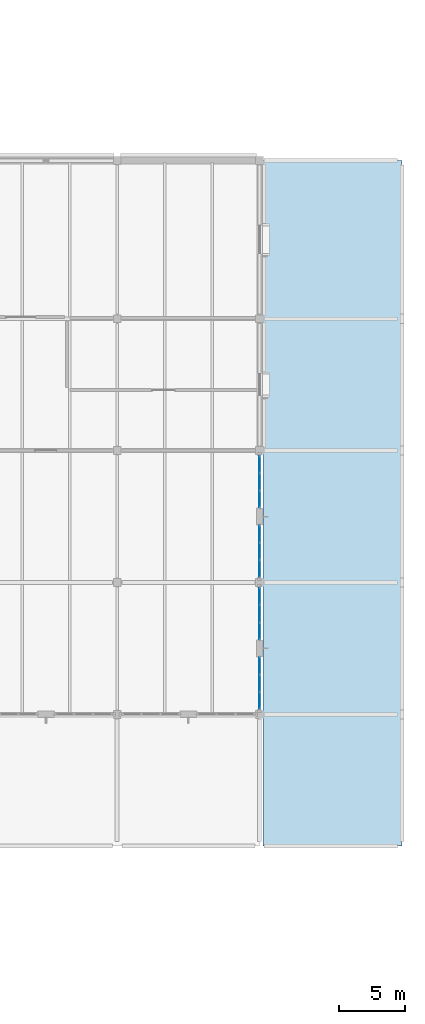
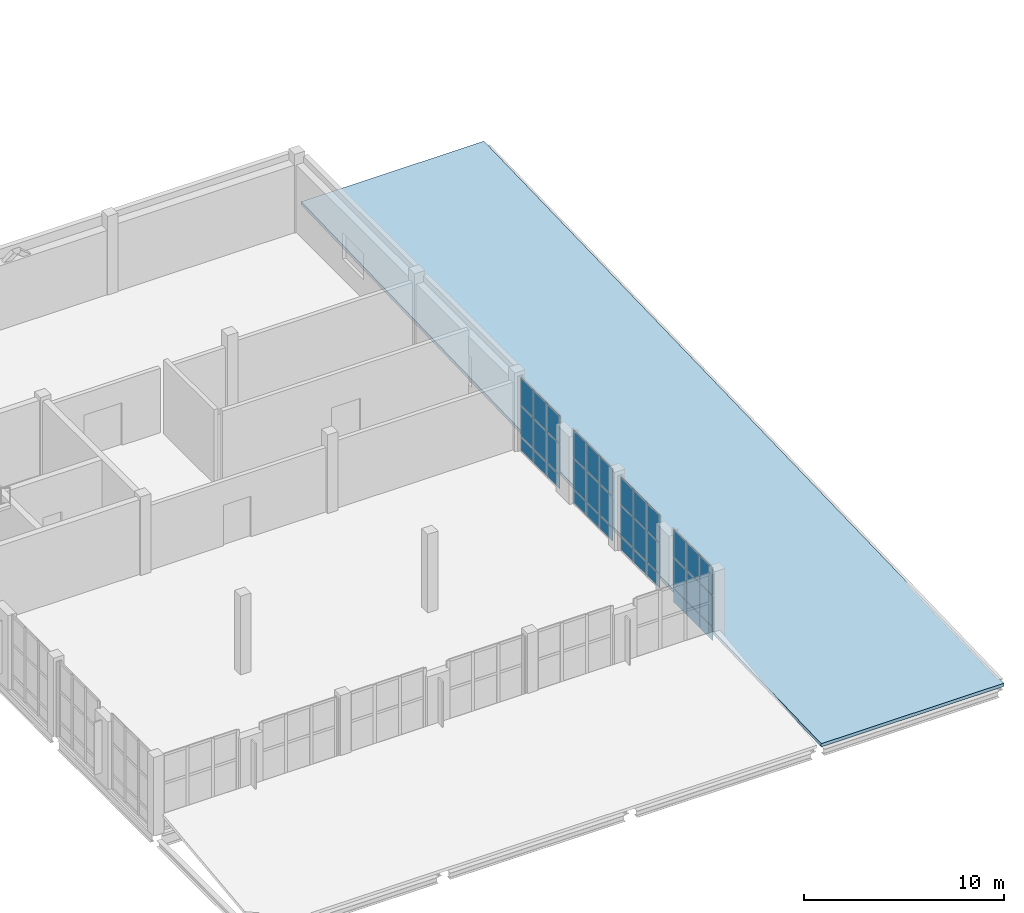
# One storey, part 71 of 100: 36 plates, 1 slab, 4 elements without a shape of their own.
"""IFC4 building model written with IfcOpenShell, lengths in metres."""

from ifc_helpers import new_model, si_unit, direction, frame, origin, origin_2d, place, context, subcontext, project, spatial, polyline, rectangle, outline, extrude, material, layer, layer_set, type_object, element, aggregate, save


model = new_model("IFC4")

# Units and contexts
model_context = context("Model", 3, precision=1e-05, world=origin(), true_north=direction((0.0, 1.0)))
body_context = subcontext(model_context, "Body", "Model", "MODEL_VIEW")
ifc_project = project(units=[si_unit("LENGTHUNIT", "METRE"), si_unit("AREAUNIT", "SQUARE_METRE"), si_unit("VOLUMEUNIT", "CUBIC_METRE"), si_unit("PLANEANGLEUNIT", "RADIAN"), si_unit("MASSUNIT", "GRAM", prefix="KILO")], contexts=[model_context])

# Site, building, storey
site_placement = place(None, origin())
site = spatial("IfcSite", under=ifc_project, at=site_placement, CompositionType="ELEMENT")
building_placement = place(site_placement, origin())
building = spatial("IfcBuilding", under=site, at=building_placement, Name="Tasgan Crest Museum", CompositionType="ELEMENT")
storey_placement = place(building_placement, frame((0.0, 0.0, 9.60009765625)))
storey = spatial("IfcBuildingStorey", under=building, at=storey_placement, Name="L02", CompositionType="ELEMENT", Elevation=9.60009765625)

# Curtain wall, plates
ifc_material_1 = material(Name="Triple-Glazed Aluminium Curtain Wall", Category="aluminium")
ifc_layer_1 = layer(ifc_material_1, 0.179931640625, Name="CW-GAL-Y-48")
ifc_layer_set_1 = layer_set([ifc_layer_1], Name="Triple-Glazed Aluminium Curtain Wall")
curtain_wall_type = type_object("IfcCurtainWallType", Name="CW-GAL-Y-48", PredefinedType="NOTDEFINED", material=ifc_layer_set_1)
curtain_wall_1_placement = place(storey_placement, origin())
curtain_wall_1 = element("IfcCurtainWall", 1, at=curtain_wall_1_placement, inside=storey, type_object=curtain_wall_type, Name="Curtain wall L02 071", PredefinedType="NOTDEFINED")
ifc_material_2 = material(Name="Insulated Spandrel Glass", Category="glass")
ifc_layer_2 = layer(ifc_material_2, 0.052001953125, Name="CW-PANEL-SPANDREL")
ifc_layer_set_2 = layer_set([ifc_layer_2], Name="Insulated Spandrel Glass")
plate_type_1 = type_object("IfcPlateType", Name="CW-PANEL-SPANDREL", PredefinedType="CURTAIN_PANEL", material=ifc_layer_set_2)
plate_1_placement = place(storey_placement, frame((140.39990234375, 21.044921875, 0.059814453125), z_axis=(0.0, 0.0, 1.0), x_axis=(0.0, 1.0, 0.0)))
plate_1 = element("IfcPlate", 2, at=plate_1_placement, type_object=plate_type_1, Name="CW16 panel 1.1", PredefinedType="CURTAIN_PANEL", context=body_context, shape_type="SweptSolid", body=[
    extrude(rectangle(XDim=1.239990234375, YDim=0.028076171875, at=origin_2d()), origin(), (0.0, 0.0, 1.0), 0.81005859375),
])
plate_2_placement = place(storey_placement, frame((140.39990234375, 22.360107421875, 0.059814453125), z_axis=(0.0, 0.0, 1.0), x_axis=(0.0, 1.0, 0.0)))
plate_2 = element("IfcPlate", 3, at=plate_2_placement, type_object=plate_type_1, Name="CW16 panel 2.1", PredefinedType="CURTAIN_PANEL", context=body_context, shape_type="SweptSolid", body=[
    extrude(rectangle(XDim=1.27001953125, YDim=0.028076171875, at=origin_2d()), origin(), (0.0, 0.0, 1.0), 0.81005859375),
])
plate_3_placement = place(storey_placement, frame((140.39990234375, 23.675048828125, 0.059814453125), z_axis=(0.0, 0.0, 1.0), x_axis=(0.0, 1.0, 0.0)))
plate_3 = element("IfcPlate", 4, at=plate_3_placement, type_object=plate_type_1, Name="CW16 panel 3.1", PredefinedType="CURTAIN_PANEL", context=body_context, shape_type="SweptSolid", body=[
    extrude(rectangle(XDim=1.239990234375, YDim=0.028076171875, at=origin_2d()), origin(), (0.0, 0.0, 1.0), 0.81005859375),
])

curtain_wall_2_placement = place(storey_placement, origin())
curtain_wall_2 = element("IfcCurtainWall", 5, at=curtain_wall_2_placement, inside=storey, type_object=curtain_wall_type, Name="Curtain wall L02 072", PredefinedType="NOTDEFINED")
plate_4_placement = place(storey_placement, frame((140.39990234375, 26.324951171875, 0.059814453125), z_axis=(0.0, 0.0, 1.0), x_axis=(0.0, 1.0, 0.0)))
plate_4 = element("IfcPlate", 6, at=plate_4_placement, type_object=plate_type_1, Name="CW16 panel 1.1", PredefinedType="CURTAIN_PANEL", context=body_context, shape_type="SweptSolid", body=[
    extrude(rectangle(XDim=1.239990234375, YDim=0.028076171875, at=origin_2d()), origin(), (0.0, 0.0, 1.0), 0.81005859375),
])
plate_5_placement = place(storey_placement, frame((140.39990234375, 27.639892578125, 0.059814453125), z_axis=(0.0, 0.0, 1.0), x_axis=(0.0, 1.0, 0.0)))
plate_5 = element("IfcPlate", 7, at=plate_5_placement, type_object=plate_type_1, Name="CW16 panel 2.1", PredefinedType="CURTAIN_PANEL", context=body_context, shape_type="SweptSolid", body=[
    extrude(rectangle(XDim=1.27001953125, YDim=0.028076171875, at=origin_2d()), origin(), (0.0, 0.0, 1.0), 0.81005859375),
])
plate_6_placement = place(storey_placement, frame((140.39990234375, 28.955078125, 0.059814453125), z_axis=(0.0, 0.0, 1.0), x_axis=(0.0, 1.0, 0.0)))
plate_6 = element("IfcPlate", 8, at=plate_6_placement, type_object=plate_type_1, Name="CW16 panel 3.1", PredefinedType="CURTAIN_PANEL", context=body_context, shape_type="SweptSolid", body=[
    extrude(rectangle(XDim=1.239990234375, YDim=0.028076171875, at=origin_2d()), origin(), (0.0, 0.0, 1.0), 0.81005859375),
])

curtain_wall_3_placement = place(storey_placement, origin())
curtain_wall_3 = element("IfcCurtainWall", 9, at=curtain_wall_3_placement, inside=storey, type_object=curtain_wall_type, Name="Curtain wall L02 073", PredefinedType="NOTDEFINED")
plate_7_placement = place(storey_placement, frame((140.39990234375, 31.044921875, 0.059814453125), z_axis=(0.0, 0.0, 1.0), x_axis=(0.0, 1.0, 0.0)))
plate_7 = element("IfcPlate", 10, at=plate_7_placement, type_object=plate_type_1, Name="CW16 panel 1.1", PredefinedType="CURTAIN_PANEL", context=body_context, shape_type="SweptSolid", body=[
    extrude(rectangle(XDim=1.239990234375, YDim=0.028076171875, at=origin_2d()), origin(), (0.0, 0.0, 1.0), 0.81005859375),
])
plate_8_placement = place(storey_placement, frame((140.39990234375, 32.360107421875, 0.059814453125), z_axis=(0.0, 0.0, 1.0), x_axis=(0.0, 1.0, 0.0)))
plate_8 = element("IfcPlate", 11, at=plate_8_placement, type_object=plate_type_1, Name="CW16 panel 2.1", PredefinedType="CURTAIN_PANEL", context=body_context, shape_type="SweptSolid", body=[
    extrude(rectangle(XDim=1.27001953125, YDim=0.028076171875, at=origin_2d()), origin(), (0.0, 0.0, 1.0), 0.81005859375),
])
plate_9_placement = place(storey_placement, frame((140.39990234375, 33.675048828125, 0.059814453125), z_axis=(0.0, 0.0, 1.0), x_axis=(0.0, 1.0, 0.0)))
plate_9 = element("IfcPlate", 12, at=plate_9_placement, type_object=plate_type_1, Name="CW16 panel 3.1", PredefinedType="CURTAIN_PANEL", context=body_context, shape_type="SweptSolid", body=[
    extrude(rectangle(XDim=1.239990234375, YDim=0.028076171875, at=origin_2d()), origin(), (0.0, 0.0, 1.0), 0.81005859375),
])

curtain_wall_4_placement = place(storey_placement, origin())
curtain_wall_4 = element("IfcCurtainWall", 13, at=curtain_wall_4_placement, inside=storey, type_object=curtain_wall_type, Name="Curtain wall L02 074", PredefinedType="NOTDEFINED")
plate_10_placement = place(storey_placement, frame((140.39990234375, 36.324951171875, 0.059814453125), z_axis=(0.0, 0.0, 1.0), x_axis=(0.0, 1.0, 0.0)))
plate_10 = element("IfcPlate", 14, at=plate_10_placement, type_object=plate_type_1, Name="CW16 panel 1.1", PredefinedType="CURTAIN_PANEL", context=body_context, shape_type="SweptSolid", body=[
    extrude(rectangle(XDim=1.239990234375, YDim=0.028076171875, at=origin_2d()), origin(), (0.0, 0.0, 1.0), 0.81005859375),
])
plate_11_placement = place(storey_placement, frame((140.39990234375, 37.639892578125, 0.059814453125), z_axis=(0.0, 0.0, 1.0), x_axis=(0.0, 1.0, 0.0)))
plate_11 = element("IfcPlate", 15, at=plate_11_placement, type_object=plate_type_1, Name="CW16 panel 2.1", PredefinedType="CURTAIN_PANEL", context=body_context, shape_type="SweptSolid", body=[
    extrude(rectangle(XDim=1.27001953125, YDim=0.028076171875, at=origin_2d()), origin(), (0.0, 0.0, 1.0), 0.81005859375),
])
plate_12_placement = place(storey_placement, frame((140.39990234375, 38.955078125, 0.059814453125), z_axis=(0.0, 0.0, 1.0), x_axis=(0.0, 1.0, 0.0)))
plate_12 = element("IfcPlate", 16, at=plate_12_placement, type_object=plate_type_1, Name="CW16 panel 3.1", PredefinedType="CURTAIN_PANEL", context=body_context, shape_type="SweptSolid", body=[
    extrude(rectangle(XDim=1.239990234375, YDim=0.028076171875, at=origin_2d()), origin(), (0.0, 0.0, 1.0), 0.81005859375),
])

# Plate
ifc_material_3 = material(Name="Low-E Triple Glazing", Category="glass")
ifc_layer_3 = layer(ifc_material_3, 0.0439453125, Name="CW-PANEL-TRIPLE")
ifc_layer_set_3 = layer_set([ifc_layer_3], Name="Low-E Triple Glazing")
plate_type_2 = type_object("IfcPlateType", Name="CW-PANEL-TRIPLE", PredefinedType="CURTAIN_PANEL", material=ifc_layer_set_3)
plate_13_placement = place(storey_placement, frame((140.39990234375, 21.044921875, 0.9296875), z_axis=(0.0, 0.0, 1.0), x_axis=(0.0, 1.0, 0.0)))
plate_13 = element("IfcPlate", 17, at=plate_13_placement, type_object=plate_type_2, Name="CW16 panel 1.2", PredefinedType="CURTAIN_PANEL", context=body_context, shape_type="SweptSolid", body=[
    extrude(rectangle(XDim=1.239990234375, YDim=0.028076171875, at=origin_2d()), origin(), (0.0, 0.0, 1.0), 1.840087890625),
])

plate_14_placement = place(storey_placement, frame((140.39990234375, 21.044921875, 2.829833984375), z_axis=(0.0, 0.0, 1.0), x_axis=(0.0, 1.0, 0.0)))
plate_14 = element("IfcPlate", 18, at=plate_14_placement, type_object=plate_type_2, Name="CW16 panel 1.3", PredefinedType="CURTAIN_PANEL", context=body_context, shape_type="SweptSolid", body=[
    extrude(rectangle(XDim=1.239990234375, YDim=0.028076171875, at=origin_2d()), origin(), (0.0, 0.0, 1.0), 1.669921875),
])

plate_15_placement = place(storey_placement, frame((140.39990234375, 22.360107421875, 0.9296875), z_axis=(0.0, 0.0, 1.0), x_axis=(0.0, 1.0, 0.0)))
plate_15 = element("IfcPlate", 19, at=plate_15_placement, type_object=plate_type_2, Name="CW16 panel 2.2", PredefinedType="CURTAIN_PANEL", context=body_context, shape_type="SweptSolid", body=[
    extrude(rectangle(XDim=1.27001953125, YDim=0.028076171875, at=origin_2d()), origin(), (0.0, 0.0, 1.0), 1.840087890625),
])

plate_16_placement = place(storey_placement, frame((140.39990234375, 22.360107421875, 2.829833984375), z_axis=(0.0, 0.0, 1.0), x_axis=(0.0, 1.0, 0.0)))
plate_16 = element("IfcPlate", 20, at=plate_16_placement, type_object=plate_type_2, Name="CW16 panel 2.3", PredefinedType="CURTAIN_PANEL", context=body_context, shape_type="SweptSolid", body=[
    extrude(rectangle(XDim=1.27001953125, YDim=0.028076171875, at=origin_2d()), origin(), (0.0, 0.0, 1.0), 1.669921875),
])

plate_17_placement = place(storey_placement, frame((140.39990234375, 23.675048828125, 0.9296875), z_axis=(0.0, 0.0, 1.0), x_axis=(0.0, 1.0, 0.0)))
plate_17 = element("IfcPlate", 21, at=plate_17_placement, type_object=plate_type_2, Name="CW16 panel 3.2", PredefinedType="CURTAIN_PANEL", context=body_context, shape_type="SweptSolid", body=[
    extrude(rectangle(XDim=1.239990234375, YDim=0.028076171875, at=origin_2d()), origin(), (0.0, 0.0, 1.0), 1.840087890625),
])

plate_18_placement = place(storey_placement, frame((140.39990234375, 23.675048828125, 2.829833984375), z_axis=(0.0, 0.0, 1.0), x_axis=(0.0, 1.0, 0.0)))
plate_18 = element("IfcPlate", 22, at=plate_18_placement, type_object=plate_type_2, Name="CW16 panel 3.3", PredefinedType="CURTAIN_PANEL", context=body_context, shape_type="SweptSolid", body=[
    extrude(rectangle(XDim=1.239990234375, YDim=0.028076171875, at=origin_2d()), origin(), (0.0, 0.0, 1.0), 1.669921875),
])

aggregate(curtain_wall_1, [plate_1, plate_13, plate_14, plate_2, plate_15, plate_16, plate_3, plate_17, plate_18])

plate_19_placement = place(storey_placement, frame((140.39990234375, 26.324951171875, 0.9296875), z_axis=(0.0, 0.0, 1.0), x_axis=(0.0, 1.0, 0.0)))
plate_19 = element("IfcPlate", 23, at=plate_19_placement, type_object=plate_type_2, Name="CW16 panel 1.2", PredefinedType="CURTAIN_PANEL", context=body_context, shape_type="SweptSolid", body=[
    extrude(rectangle(XDim=1.239990234375, YDim=0.028076171875, at=origin_2d()), origin(), (0.0, 0.0, 1.0), 1.840087890625),
])

plate_20_placement = place(storey_placement, frame((140.39990234375, 26.324951171875, 2.829833984375), z_axis=(0.0, 0.0, 1.0), x_axis=(0.0, 1.0, 0.0)))
plate_20 = element("IfcPlate", 24, at=plate_20_placement, type_object=plate_type_2, Name="CW16 panel 1.3", PredefinedType="CURTAIN_PANEL", context=body_context, shape_type="SweptSolid", body=[
    extrude(rectangle(XDim=1.239990234375, YDim=0.028076171875, at=origin_2d()), origin(), (0.0, 0.0, 1.0), 1.669921875),
])

plate_21_placement = place(storey_placement, frame((140.39990234375, 27.639892578125, 0.9296875), z_axis=(0.0, 0.0, 1.0), x_axis=(0.0, 1.0, 0.0)))
plate_21 = element("IfcPlate", 25, at=plate_21_placement, type_object=plate_type_2, Name="CW16 panel 2.2", PredefinedType="CURTAIN_PANEL", context=body_context, shape_type="SweptSolid", body=[
    extrude(rectangle(XDim=1.27001953125, YDim=0.028076171875, at=origin_2d()), origin(), (0.0, 0.0, 1.0), 1.840087890625),
])

plate_22_placement = place(storey_placement, frame((140.39990234375, 27.639892578125, 2.829833984375), z_axis=(0.0, 0.0, 1.0), x_axis=(0.0, 1.0, 0.0)))
plate_22 = element("IfcPlate", 26, at=plate_22_placement, type_object=plate_type_2, Name="CW16 panel 2.3", PredefinedType="CURTAIN_PANEL", context=body_context, shape_type="SweptSolid", body=[
    extrude(rectangle(XDim=1.27001953125, YDim=0.028076171875, at=origin_2d()), origin(), (0.0, 0.0, 1.0), 1.669921875),
])

plate_23_placement = place(storey_placement, frame((140.39990234375, 28.955078125, 0.9296875), z_axis=(0.0, 0.0, 1.0), x_axis=(0.0, 1.0, 0.0)))
plate_23 = element("IfcPlate", 27, at=plate_23_placement, type_object=plate_type_2, Name="CW16 panel 3.2", PredefinedType="CURTAIN_PANEL", context=body_context, shape_type="SweptSolid", body=[
    extrude(rectangle(XDim=1.239990234375, YDim=0.028076171875, at=origin_2d()), origin(), (0.0, 0.0, 1.0), 1.840087890625),
])

plate_24_placement = place(storey_placement, frame((140.39990234375, 28.955078125, 2.829833984375), z_axis=(0.0, 0.0, 1.0), x_axis=(0.0, 1.0, 0.0)))
plate_24 = element("IfcPlate", 28, at=plate_24_placement, type_object=plate_type_2, Name="CW16 panel 3.3", PredefinedType="CURTAIN_PANEL", context=body_context, shape_type="SweptSolid", body=[
    extrude(rectangle(XDim=1.239990234375, YDim=0.028076171875, at=origin_2d()), origin(), (0.0, 0.0, 1.0), 1.669921875),
])

aggregate(curtain_wall_2, [plate_4, plate_19, plate_20, plate_5, plate_21, plate_22, plate_6, plate_23, plate_24])

plate_25_placement = place(storey_placement, frame((140.39990234375, 31.044921875, 0.9296875), z_axis=(0.0, 0.0, 1.0), x_axis=(0.0, 1.0, 0.0)))
plate_25 = element("IfcPlate", 29, at=plate_25_placement, type_object=plate_type_2, Name="CW16 panel 1.2", PredefinedType="CURTAIN_PANEL", context=body_context, shape_type="SweptSolid", body=[
    extrude(rectangle(XDim=1.239990234375, YDim=0.028076171875, at=origin_2d()), origin(), (0.0, 0.0, 1.0), 1.840087890625),
])

plate_26_placement = place(storey_placement, frame((140.39990234375, 31.044921875, 2.829833984375), z_axis=(0.0, 0.0, 1.0), x_axis=(0.0, 1.0, 0.0)))
plate_26 = element("IfcPlate", 30, at=plate_26_placement, type_object=plate_type_2, Name="CW16 panel 1.3", PredefinedType="CURTAIN_PANEL", context=body_context, shape_type="SweptSolid", body=[
    extrude(rectangle(XDim=1.239990234375, YDim=0.028076171875, at=origin_2d()), origin(), (0.0, 0.0, 1.0), 1.669921875),
])

plate_27_placement = place(storey_placement, frame((140.39990234375, 32.360107421875, 0.9296875), z_axis=(0.0, 0.0, 1.0), x_axis=(0.0, 1.0, 0.0)))
plate_27 = element("IfcPlate", 31, at=plate_27_placement, type_object=plate_type_2, Name="CW16 panel 2.2", PredefinedType="CURTAIN_PANEL", context=body_context, shape_type="SweptSolid", body=[
    extrude(rectangle(XDim=1.27001953125, YDim=0.028076171875, at=origin_2d()), origin(), (0.0, 0.0, 1.0), 1.840087890625),
])

plate_28_placement = place(storey_placement, frame((140.39990234375, 32.360107421875, 2.829833984375), z_axis=(0.0, 0.0, 1.0), x_axis=(0.0, 1.0, 0.0)))
plate_28 = element("IfcPlate", 32, at=plate_28_placement, type_object=plate_type_2, Name="CW16 panel 2.3", PredefinedType="CURTAIN_PANEL", context=body_context, shape_type="SweptSolid", body=[
    extrude(rectangle(XDim=1.27001953125, YDim=0.028076171875, at=origin_2d()), origin(), (0.0, 0.0, 1.0), 1.669921875),
])

plate_29_placement = place(storey_placement, frame((140.39990234375, 33.675048828125, 0.9296875), z_axis=(0.0, 0.0, 1.0), x_axis=(0.0, 1.0, 0.0)))
plate_29 = element("IfcPlate", 33, at=plate_29_placement, type_object=plate_type_2, Name="CW16 panel 3.2", PredefinedType="CURTAIN_PANEL", context=body_context, shape_type="SweptSolid", body=[
    extrude(rectangle(XDim=1.239990234375, YDim=0.028076171875, at=origin_2d()), origin(), (0.0, 0.0, 1.0), 1.840087890625),
])

plate_30_placement = place(storey_placement, frame((140.39990234375, 33.675048828125, 2.829833984375), z_axis=(0.0, 0.0, 1.0), x_axis=(0.0, 1.0, 0.0)))
plate_30 = element("IfcPlate", 34, at=plate_30_placement, type_object=plate_type_2, Name="CW16 panel 3.3", PredefinedType="CURTAIN_PANEL", context=body_context, shape_type="SweptSolid", body=[
    extrude(rectangle(XDim=1.239990234375, YDim=0.028076171875, at=origin_2d()), origin(), (0.0, 0.0, 1.0), 1.669921875),
])

aggregate(curtain_wall_3, [plate_7, plate_25, plate_26, plate_8, plate_27, plate_28, plate_9, plate_29, plate_30])

plate_31_placement = place(storey_placement, frame((140.39990234375, 36.324951171875, 0.9296875), z_axis=(0.0, 0.0, 1.0), x_axis=(0.0, 1.0, 0.0)))
plate_31 = element("IfcPlate", 35, at=plate_31_placement, type_object=plate_type_2, Name="CW16 panel 1.2", PredefinedType="CURTAIN_PANEL", context=body_context, shape_type="SweptSolid", body=[
    extrude(rectangle(XDim=1.239990234375, YDim=0.028076171875, at=origin_2d()), origin(), (0.0, 0.0, 1.0), 1.840087890625),
])

plate_32_placement = place(storey_placement, frame((140.39990234375, 36.324951171875, 2.829833984375), z_axis=(0.0, 0.0, 1.0), x_axis=(0.0, 1.0, 0.0)))
plate_32 = element("IfcPlate", 36, at=plate_32_placement, type_object=plate_type_2, Name="CW16 panel 1.3", PredefinedType="CURTAIN_PANEL", context=body_context, shape_type="SweptSolid", body=[
    extrude(rectangle(XDim=1.239990234375, YDim=0.028076171875, at=origin_2d()), origin(), (0.0, 0.0, 1.0), 1.669921875),
])

plate_33_placement = place(storey_placement, frame((140.39990234375, 37.639892578125, 0.9296875), z_axis=(0.0, 0.0, 1.0), x_axis=(0.0, 1.0, 0.0)))
plate_33 = element("IfcPlate", 37, at=plate_33_placement, type_object=plate_type_2, Name="CW16 panel 2.2", PredefinedType="CURTAIN_PANEL", context=body_context, shape_type="SweptSolid", body=[
    extrude(rectangle(XDim=1.27001953125, YDim=0.028076171875, at=origin_2d()), origin(), (0.0, 0.0, 1.0), 1.840087890625),
])

plate_34_placement = place(storey_placement, frame((140.39990234375, 37.639892578125, 2.829833984375), z_axis=(0.0, 0.0, 1.0), x_axis=(0.0, 1.0, 0.0)))
plate_34 = element("IfcPlate", 38, at=plate_34_placement, type_object=plate_type_2, Name="CW16 panel 2.3", PredefinedType="CURTAIN_PANEL", context=body_context, shape_type="SweptSolid", body=[
    extrude(rectangle(XDim=1.27001953125, YDim=0.028076171875, at=origin_2d()), origin(), (0.0, 0.0, 1.0), 1.669921875),
])

plate_35_placement = place(storey_placement, frame((140.39990234375, 38.955078125, 0.9296875), z_axis=(0.0, 0.0, 1.0), x_axis=(0.0, 1.0, 0.0)))
plate_35 = element("IfcPlate", 39, at=plate_35_placement, type_object=plate_type_2, Name="CW16 panel 3.2", PredefinedType="CURTAIN_PANEL", context=body_context, shape_type="SweptSolid", body=[
    extrude(rectangle(XDim=1.239990234375, YDim=0.028076171875, at=origin_2d()), origin(), (0.0, 0.0, 1.0), 1.840087890625),
])

plate_36_placement = place(storey_placement, frame((140.39990234375, 38.955078125, 2.829833984375), z_axis=(0.0, 0.0, 1.0), x_axis=(0.0, 1.0, 0.0)))
plate_36 = element("IfcPlate", 40, at=plate_36_placement, type_object=plate_type_2, Name="CW16 panel 3.3", PredefinedType="CURTAIN_PANEL", context=body_context, shape_type="SweptSolid", body=[
    extrude(rectangle(XDim=1.239990234375, YDim=0.028076171875, at=origin_2d()), origin(), (0.0, 0.0, 1.0), 1.669921875),
])

aggregate(curtain_wall_4, [plate_10, plate_31, plate_32, plate_11, plate_33, plate_34, plate_12, plate_35, plate_36])

# Slab
ifc_material_4 = material(Name="Concrete C35/45", Category="concrete")
ifc_layer_4 = layer(ifc_material_4, 0.199951171875, Name="SL-ROOF-200")
ifc_layer_set_4 = layer_set([ifc_layer_4], Name="Concrete C35/45")
slab_type = type_object("IfcSlabType", Name="SL-ROOF-200", PredefinedType="ROOF", material=ifc_layer_set_4)
slab_placement = place(storey_placement, frame((140.64990234375, 10.0, 0.0), z_axis=(0.0, -0.02979070807, 0.999556158359), x_axis=(1.0, 0.0, 0.0)))
element("IfcSlab", 41, at=slab_placement, inside=storey, type_object=slab_type, Name="East lab lower step roof", PredefinedType="ROOF", context=body_context, shape_type="SweptSolid", body=[
    extrude(outline(polyline([(0.0, 0.0), (10.550048828125, 0.0), (10.550048828125, 52.02309001366025), (0.0, 52.02309001366025), (0.0, 0.0)])), origin(), (0.0, 0.0, -1.0), 0.199951171875),
])

save(model, "model.ifc")
